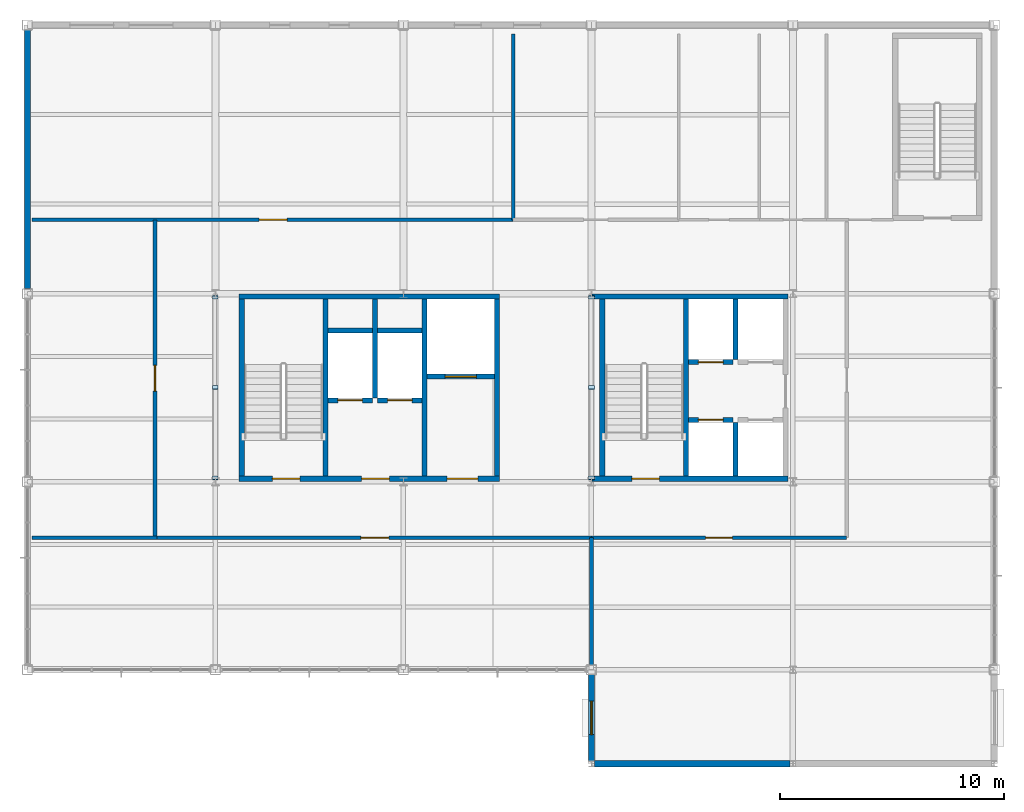
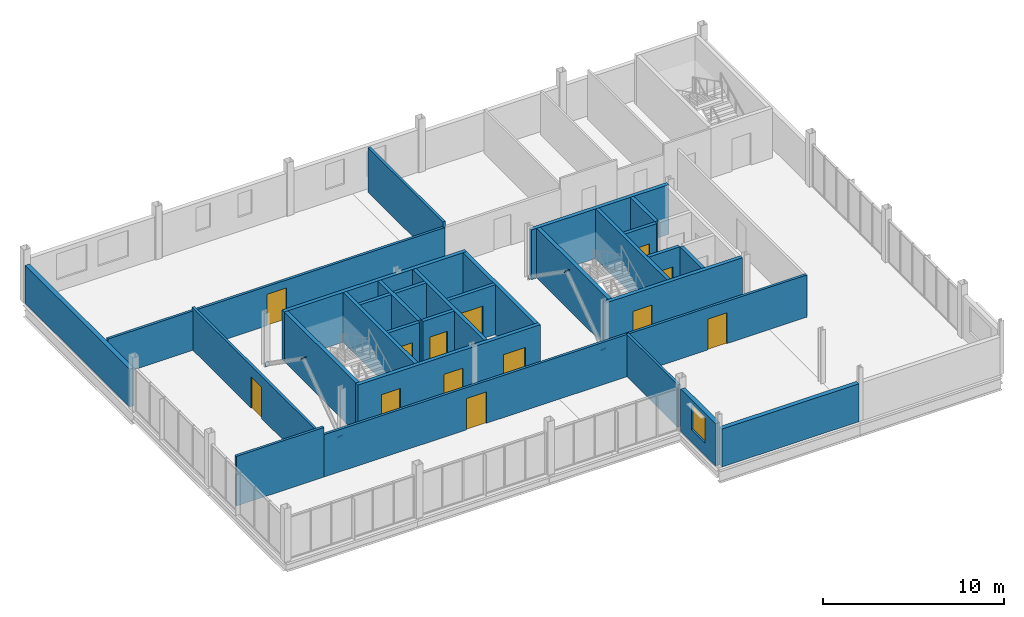
# One storey, part 12 of 16: 30 walls, 13 doors, 6 plates, 1 window, 14 openings.
"""IFC4 building model written with IfcOpenShell, lengths in metres."""

import ifcopenshell
import ifcopenshell.guid

model = None  # the IFC model being written
_history = None  # IfcOwnerHistory: only IFC2X3 demands one
_inside = {}  # id of a spatial element -> (the spatial element, [elements in it])
_under = {}  # id of a project, library or spatial element -> (it, [spatial elements below it])
_declared = {}  # id of a project -> (the project, [libraries it declares])
_typed = {}  # id of a type object -> (the type object, [elements of that type])
_made_of = {}  # id of a material, layer set ... -> (it, [elements and type objects made of it])


def new_model(schema):
    """Start an empty IFC model of exactly this schema.

    Asked for "IFC4X3", IfcOpenShell would pick the latest addendum, in which some entities
    have other attributes; the version numbers below select the first issue.
    IFC2X3 requires an IfcOwnerHistory on every rooted entity: one is made here for all.
    """
    global model, _history
    if schema == "IFC4X3":
        model = ifcopenshell.file(schema_version=(4, 3, 0, 0))
    else:
        model = ifcopenshell.file(schema=schema)
    _inside.clear()
    _under.clear()
    _declared.clear()
    _typed.clear()
    _made_of.clear()
    _history = None
    if model.schema == "IFC2X3":
        org = make("IfcOrganization", Name="unknown")
        user = make(
            "IfcPersonAndOrganization",
            ThePerson=make("IfcPerson", FamilyName="unknown"),
            TheOrganization=org,
        )
        app = make(
            "IfcApplication",
            ApplicationDeveloper=org,
            Version="unknown",
            ApplicationFullName="unknown",
            ApplicationIdentifier="unknown",
        )
        _history = make(
            "IfcOwnerHistory",
            OwningUser=user,
            OwningApplication=app,
            ChangeAction="ADDED",
            CreationDate=0,
        )
    return model


def make(cls, **values):
    """One entity of the class cls with the attributes given. An attribute that is None is left unset."""
    return model.create_entity(
        cls, **{name: value for name, value in values.items() if value is not None}
    )


def rooted(cls, **values):
    """An entity with a GlobalId (a new one), such as an element, a storey or a relation."""
    return make(cls, GlobalId=ifcopenshell.guid.new(), OwnerHistory=_history, **values)


def si_unit(unit_type, name, prefix=None):
    """IfcSIUnit, for example si_unit("LENGTHUNIT", "METRE", prefix="MILLI")."""
    return make("IfcSIUnit", UnitType=unit_type, Prefix=prefix, Name=name)


def assignment(units):
    """IfcUnitAssignment: the units of a project."""
    return None if units is None else make("IfcUnitAssignment", Units=units)


def point(xyz):
    """IfcCartesianPoint."""
    return None if xyz is None else make("IfcCartesianPoint", Coordinates=xyz)


def direction(xyz):
    """IfcDirection."""
    return None if xyz is None else make("IfcDirection", DirectionRatios=xyz)


def frame(location, z_axis=None, x_axis=None):
    """IfcAxis2Placement3D, a coordinate frame: its origin and axes. An axis left out is left unset."""
    return make(
        "IfcAxis2Placement3D",
        Location=point(location),
        Axis=direction(z_axis),
        RefDirection=direction(x_axis),
    )


def frame_2d(location, x_axis=None):
    """IfcAxis2Placement2D, a coordinate frame in the plane: its origin and x axis."""
    return make(
        "IfcAxis2Placement2D", Location=point(location), RefDirection=direction(x_axis)
    )


def origin():
    """The frame at (0, 0, 0) with its axes left unset."""
    return frame((0.0, 0.0, 0.0))


def origin_2d():
    """The frame at (0, 0) in the plane with its x axis left unset."""
    return frame_2d((0.0, 0.0))


def place(relative_to, where):
    """IfcLocalPlacement: puts the frame where relative to a parent placement (None: the world)."""
    return make(
        "IfcLocalPlacement", PlacementRelTo=relative_to, RelativePlacement=where
    )


def context(
    kind, dimensions, precision=None, world=None, true_north=None, identifier=None
):
    """IfcGeometricRepresentationContext, for example the 3D "Model" context."""
    return make(
        "IfcGeometricRepresentationContext",
        ContextIdentifier=identifier,
        ContextType=kind,
        CoordinateSpaceDimension=dimensions,
        Precision=precision,
        WorldCoordinateSystem=world,
        TrueNorth=true_north,
    )


def subcontext(parent, identifier, kind, view, scale=None):
    """IfcGeometricRepresentationSubContext, for example "Body" below "Model"."""
    return make(
        "IfcGeometricRepresentationSubContext",
        ContextIdentifier=identifier,
        ContextType=kind,
        ParentContext=parent,
        TargetScale=scale,
        TargetView=view,
    )


def project(units=None, contexts=None):
    """IfcProject with its units and contexts."""
    return rooted(
        "IfcProject",
        Name="project",
        RepresentationContexts=contexts,
        UnitsInContext=assignment(units),
    )


def spatial(cls, under=None, at=None, **own):
    """A site, building, storey or space (cls), placed at a placement, below another one or the project."""
    s = rooted(cls, ObjectPlacement=at, **own)
    if under is not None:
        _under.setdefault(under.id(), (under, []))[1].append(s)
    return s


def profile(cls, at=None, kind="AREA", **sizes):
    """A parametric profile (cls). Its sizes go by their IFC names, for example OverallWidth=200.0."""
    return make(cls, ProfileType=kind, Position=at, **sizes)


def rectangle(**sizes):
    """IfcRectangleProfileDef."""
    return profile("IfcRectangleProfileDef", **sizes)


def extrude(swept, where, along, depth):
    """IfcExtrudedAreaSolid: the profile swept, set in the frame where, extruded along a direction by depth."""
    return make(
        "IfcExtrudedAreaSolid",
        SweptArea=swept,
        Position=where,
        ExtrudedDirection=direction(along),
        Depth=depth,
    )


def shape(context_of_items, identifier, shape_type, items):
    """IfcShapeRepresentation: the items that make up one representation, for example the "Body"."""
    return make(
        "IfcShapeRepresentation",
        ContextOfItems=context_of_items,
        RepresentationIdentifier=identifier,
        RepresentationType=shape_type,
        Items=items,
    )


def material(Name=None, Category=None):
    """IfcMaterial."""
    return make("IfcMaterial", Name=Name, Category=Category)


def layer(
    of_material, thickness, ventilated=None, Name=None, Category=None, Priority=None
):
    """IfcMaterialLayer: one layer of a wall or slab, of a material (None: an air gap)."""
    return make(
        "IfcMaterialLayer",
        Material=of_material,
        LayerThickness=thickness,
        IsVentilated=ventilated,
        Name=Name,
        Category=Category,
        Priority=Priority,
    )


def layer_set(layers, Name=None):
    """IfcMaterialLayerSet."""
    return make("IfcMaterialLayerSet", MaterialLayers=layers, LayerSetName=Name)


def made_of(thing, what):
    """Note that an element or type object is made of a material, layer set ...; save() writes the relation."""
    if what is not None:
        _made_of.setdefault(what.id(), (what, []))[1].append(thing)
    return thing


def type_object(cls, material=None, **own):
    """A type object (cls), such as IfcWallType, which elements share."""
    return made_of(rooted(cls, **own), material)


def element(
    cls,
    number,
    at=None,
    inside=None,
    cuts=None,
    type_object=None,
    material=None,
    context=None,
    identifier="Body",
    shape_type=None,
    held_by="IfcProductDefinitionShape",
    body=None,
    shapes=None,
    **own,
):
    """One element of the class cls, such as IfcWall. Its Tag is "e" and its number.

    at: its placement. inside: the storey or other place that contains it. cuts: it is an
    opening in that element (IfcRelVoidsElement). A single representation is given by context,
    identifier, shape_type and body (its items); several are given by shapes. held_by: the class
    of the entity that holds the representations. save() writes the other relations.
    """
    e = rooted(cls, Tag="e%d" % number, ObjectPlacement=at, **own)
    if body is not None:
        shapes = [shape(context, identifier, shape_type, body)]
    if shapes is not None:
        e.Representation = make(held_by, Representations=shapes)
    if inside is not None:
        _inside.setdefault(inside.id(), (inside, []))[1].append(e)
    if cuts is not None:
        rooted(
            "IfcRelVoidsElement", RelatingBuildingElement=cuts, RelatedOpeningElement=e
        )
    if type_object is not None:
        _typed.setdefault(type_object.id(), (type_object, []))[1].append(e)
    return made_of(e, material)


def fill(opening, filler):
    """IfcRelFillsElement: the door or window that sits in an opening."""
    return rooted(
        "IfcRelFillsElement",
        RelatingOpeningElement=opening,
        RelatedBuildingElement=filler,
    )


def aggregate(whole, parts):
    """IfcRelAggregates: a whole, such as a stair, and the parts it consists of."""
    return rooted("IfcRelAggregates", RelatingObject=whole, RelatedObjects=parts)


def save(model, path):
    """Write the relations noted so far, then the file.

    IfcRelAggregates (storeys below a building ...), IfcRelContainedInSpatialStructure (elements
    in a storey), IfcRelDefinesByType, IfcRelAssociatesMaterial and IfcRelDeclares: one each for
    every whole, place, type object, material and project.
    """
    for whole, parts in _under.values():
        aggregate(whole, parts)
    for where, things in _inside.values():
        rooted(
            "IfcRelContainedInSpatialStructure",
            RelatedElements=things,
            RelatingStructure=where,
        )
    for kind, things in _typed.values():
        rooted("IfcRelDefinesByType", RelatedObjects=things, RelatingType=kind)
    for what, things in _made_of.values():
        rooted("IfcRelAssociatesMaterial", RelatedObjects=things, RelatingMaterial=what)
    for by, libraries in _declared.values():
        rooted("IfcRelDeclares", RelatingContext=by, RelatedDefinitions=libraries)
    model.write(path)


model = new_model("IFC4")

# Units and contexts
model_context = context("Model", 3, precision=1e-05, world=origin(), true_north=direction((0.0, 1.0)))
body_context = subcontext(model_context, "Body", "Model", "MODEL_VIEW")
ifc_project = project(units=[si_unit("LENGTHUNIT", "METRE"), si_unit("AREAUNIT", "SQUARE_METRE"), si_unit("VOLUMEUNIT", "CUBIC_METRE"), si_unit("PLANEANGLEUNIT", "RADIAN"), si_unit("MASSUNIT", "GRAM", prefix="KILO")], contexts=[model_context])

# Site, building, storey
site_placement = place(None, origin())
site = spatial("IfcSite", under=ifc_project, at=site_placement, CompositionType="ELEMENT")
building_placement = place(site_placement, origin())
building = spatial("IfcBuilding", under=site, at=building_placement, Name="Yukiwa Park Conservatory and Herbarium", CompositionType="ELEMENT")
storey_placement = place(building_placement, frame((0.0, 0.0, 43.199951171875)))
storey = spatial("IfcBuildingStorey", under=building, at=storey_placement, Name="L11", CompositionType="ELEMENT", Elevation=43.199951171875)

# Plates
ifc_material_1 = material(Name="Steel Q355D", Category="steel")
ifc_layer_1 = layer(ifc_material_1, 0.02392578125)
ifc_layer_set_1 = layer_set([ifc_layer_1], Name="Steel Q355D")
plate_type = type_object("IfcPlateType", Name="PL-CAP-24-INT", PredefinedType="USERDEFINED", material=ifc_layer_set_1)
for number, where, z_axis, x_axis, name in (
    (1, (133.199951171875, 94.97705078125, 0.17333984375), (0.0, -0.817806419301, -0.575493406175), (1.0, 0.0, 0.0), "Hollow section end cap plate CAP-BR-L11-057A"),
    (2, (133.199951171875, 98.993408203125, 2.974365234375), (0.0, 0.817806419301, 0.575493406175), (-1.0, 0.0, 0.0), "Hollow section end cap plate CAP-BR-L11-057B"),
    (3, (133.199951171875, 103.02294921875, 0.17333984375), (0.0, 0.817806419301, -0.575493406175), (-1.0, 0.0, 0.0), "Hollow section end cap plate CAP-BR-L11-058A"),
    (4, (150.0, 94.97705078125, 0.17333984375), (0.0, -0.817806419301, -0.575493406175), (1.0, 0.0, 0.0), "Hollow section end cap plate CAP-BR-L11-059A"),
    (5, (150.0, 98.993408203125, 2.974365234375), (0.0, 0.817806419301, 0.575493406175), (-1.0, 0.0, 0.0), "Hollow section end cap plate CAP-BR-L11-059B"),
    (6, (150.0, 103.02294921875, 0.17333984375), (0.0, 0.817806419301, -0.575493406175), (-1.0, 0.0, 0.0), "Hollow section end cap plate CAP-BR-L11-060A"),
):
    element("IfcPlate", number, at=place(storey_placement, frame(where, z_axis=z_axis, x_axis=x_axis)), inside=storey, type_object=plate_type, Name=name, ObjectType="END CAP PLATE", PredefinedType="USERDEFINED", context=body_context, shape_type="SweptSolid", body=[
        extrude(rectangle(XDim=0.25244140625, YDim=0.25244140625, at=origin_2d()), origin(), (0.0, 0.0, 1.0), 0.024169921875),
    ])

# Walls
ifc_material_2 = material(Name="Concrete C40", Category="concrete")
ifc_layer_2 = layer(ifc_material_2, 0.219970703125)
ifc_layer_set_2 = layer_set([ifc_layer_2], Name="Concrete C40")
wall_type_1 = type_object("IfcWallType", Name="WL-CORE-RC220", PredefinedType="SHEAR", material=ifc_layer_set_2)
wall_1_placement = place(storey_placement, frame((138.110107421875, 95.050048828125, 0.0), z_axis=(0.0, 0.0, 1.0), x_axis=(0.0, 1.0, 0.0)))
element("IfcWall", 7, at=wall_1_placement, inside=storey, type_object=wall_type_1, Name="L11 core shear wall 664", PredefinedType="SHEAR", context=body_context, shape_type="SweptSolid", body=[
    extrude(rectangle(XDim=7.89990234375, YDim=0.219970703125, at=frame_2d((3.949951171875, 0.0))), origin(), (0.0, 0.0, 1.0), 3.35400390625),
])
wall_2_placement = place(storey_placement, frame((140.330078125, 98.5400390625, 0.0), z_axis=(0.0, 0.0, 1.0), x_axis=(0.0, 1.0, 0.0)))
element("IfcWall", 8, at=wall_2_placement, inside=storey, type_object=wall_type_1, Name="L11 core shear wall 665", PredefinedType="SHEAR", context=body_context, shape_type="SweptSolid", body=[
    extrude(rectangle(XDim=4.409912109375, YDim=0.219970703125, at=frame_2d((2.205078125, 0.0))), origin(), (0.0, 0.0, 1.0), 3.35400390625),
])
wall_3_placement = place(storey_placement, frame((142.550048828125, 95.050048828125, 0.0), z_axis=(0.0, 0.0, 1.0), x_axis=(0.0, 1.0, 0.0)))
element("IfcWall", 9, at=wall_3_placement, inside=storey, type_object=wall_type_1, Name="L11 core shear wall 666", PredefinedType="SHEAR", context=body_context, shape_type="SweptSolid", body=[
    extrude(rectangle(XDim=7.89990234375, YDim=0.219970703125, at=frame_2d((3.949951171875, 0.0))), origin(), (0.0, 0.0, 1.0), 3.35400390625),
])

# Wall, opening, door
wall_4_placement = place(storey_placement, frame((138.219970703125, 98.429931640625, 0.0), z_axis=(0.0, 0.0, 1.0), x_axis=(1.0, 0.0, 0.0)))
wall_4 = element("IfcWall", 10, at=wall_4_placement, inside=storey, type_object=wall_type_1, Name="L11 core shear wall 668", PredefinedType="SHEAR", context=body_context, shape_type="SweptSolid", body=[
    extrude(rectangle(XDim=2.0, YDim=0.219970703125, at=frame_2d((1.0, 0.0))), origin(), (0.0, 0.0, 1.0), 3.35400390625),
])
opening_1_placement = place(wall_4_placement, frame((0.449951171875, 0.0, 0.0)))
opening_1 = element("IfcOpeningElement", 11, at=opening_1_placement, cuts=wall_4, Name="Opening LD-01", PredefinedType="OPENING", context=body_context, shape_type="SweptSolid", body=[
    extrude(rectangle(XDim=1.10009765625, YDim=2.14990234375, at=frame_2d((0.550048828125, 1.074951171875))), frame((0.0, 0.1201171875, 0.0), z_axis=(0.0, -1.0, 0.0), x_axis=(1.0, 0.0, 0.0)), (0.0, 0.0, 1.0), 0.239990234375),
])
ifc_material_3 = material(Name="Steel Q235B", Category="steel")
door_type_1 = type_object("IfcDoorType", Name="DR-LIFT-LD1100", OperationType="SLIDING_TO_LEFT", PredefinedType="DOOR", material=ifc_material_3)
door_1_placement = place(opening_1_placement, origin())
door_1 = element("IfcDoor", 12, at=door_1_placement, inside=storey, type_object=door_type_1, Name="L11 Firefighting Lift FL1 sliding landing door", OperationType="SLIDING_TO_LEFT", OverallHeight=2.14990234375, OverallWidth=1.10009765625, PredefinedType="DOOR", context=body_context, shape_type="SweptSolid", body=[
    extrude(rectangle(XDim=1.10009765625, YDim=2.14990234375, at=frame_2d((0.550048828125, 1.074951171875))), frame((0.0, 0.02490234375, 0.0), z_axis=(0.0, -1.0, 0.0), x_axis=(1.0, 0.0, 0.0)), (0.0, 0.0, 1.0), 0.050048828125),
])
fill(opening_1, door_1)

wall_5_placement = place(storey_placement, frame((140.43994140625, 98.429931640625, 0.0), z_axis=(0.0, 0.0, 1.0), x_axis=(1.0, 0.0, 0.0)))
wall_5 = element("IfcWall", 13, at=wall_5_placement, inside=storey, type_object=wall_type_1, Name="L11 core shear wall 669", PredefinedType="SHEAR", context=body_context, shape_type="SweptSolid", body=[
    extrude(rectangle(XDim=2.0, YDim=0.219970703125, at=frame_2d((1.0, 0.0))), origin(), (0.0, 0.0, 1.0), 3.35400390625),
])
opening_2_placement = place(wall_5_placement, frame((0.449951171875, 0.0, 0.0)))
opening_2 = element("IfcOpeningElement", 14, at=opening_2_placement, cuts=wall_5, Name="Opening LD-01", PredefinedType="OPENING", context=body_context, shape_type="SweptSolid", body=[
    extrude(rectangle(XDim=1.10009765625, YDim=2.14990234375, at=frame_2d((0.550048828125, 1.074951171875))), frame((0.0, 0.1201171875, 0.0), z_axis=(0.0, -1.0, 0.0), x_axis=(1.0, 0.0, 0.0)), (0.0, 0.0, 1.0), 0.239990234375),
])
door_2_placement = place(opening_2_placement, origin())
door_2 = element("IfcDoor", 15, at=door_2_placement, inside=storey, type_object=door_type_1, Name="L11 Firefighting Lift FL2 sliding landing door", OperationType="SLIDING_TO_LEFT", OverallHeight=2.14990234375, OverallWidth=1.10009765625, PredefinedType="DOOR", context=body_context, shape_type="SweptSolid", body=[
    extrude(rectangle(XDim=1.10009765625, YDim=2.14990234375, at=frame_2d((0.550048828125, 1.074951171875))), frame((0.0, 0.02490234375, 0.0), z_axis=(0.0, -1.0, 0.0), x_axis=(1.0, 0.0, 0.0)), (0.0, 0.0, 1.0), 0.050048828125),
])
fill(opening_2, door_2)

# Walls
for number, where, z_axis, x_axis, name in (
    (16, (138.219970703125, 101.550048828125, 0.0), (0.0, 0.0, 1.0), (1.0, 0.0, 0.0), "L11 core shear wall 670"),
    (17, (140.43994140625, 101.550048828125, 0.0), (0.0, 0.0, 1.0), (1.0, 0.0, 0.0), "L11 core shear wall 671"),
):
    element("IfcWall", number, at=place(storey_placement, frame(where, z_axis=z_axis, x_axis=x_axis)), inside=storey, type_object=wall_type_1, Name=name, PredefinedType="SHEAR", context=body_context, shape_type="SweptSolid", body=[
        extrude(rectangle(XDim=2.0, YDim=0.219970703125, at=frame_2d((1.0, 0.0))), origin(), (0.0, 0.0, 1.0), 3.35400390625),
    ])

# Wall, opening, door
wall_6_placement = place(storey_placement, frame((142.659912109375, 99.489990234375, 0.0), z_axis=(0.0, 0.0, 1.0), x_axis=(1.0, 0.0, 0.0)))
wall_6 = element("IfcWall", 18, at=wall_6_placement, inside=storey, type_object=wall_type_1, Name="L11 core shear wall 672", PredefinedType="SHEAR", context=body_context, shape_type="SweptSolid", body=[
    extrude(rectangle(XDim=3.0, YDim=0.219970703125, at=frame_2d((1.5, 0.0))), origin(), (0.0, 0.0, 1.0), 3.35400390625),
])
opening_3_placement = place(wall_6_placement, frame((0.800048828125, 0.0, 0.0)))
opening_3 = element("IfcOpeningElement", 19, at=opening_3_placement, cuts=wall_6, Name="Opening LD-02", PredefinedType="OPENING", context=body_context, shape_type="SweptSolid", body=[
    extrude(rectangle(XDim=1.39990234375, YDim=2.199951171875, at=frame_2d((0.699951171875, 1.10009765625))), frame((0.0, 0.1201171875, 0.0), z_axis=(0.0, -1.0, 0.0), x_axis=(1.0, 0.0, 0.0)), (0.0, 0.0, 1.0), 0.239990234375),
])
ifc_material_4 = material(Name="Steel Q235B", Category="steel")
door_type_2 = type_object("IfcDoorType", Name="DR-LIFT-LD1400", OperationType="SLIDING_TO_LEFT", PredefinedType="DOOR", material=ifc_material_4)
door_3_placement = place(opening_3_placement, origin())
door_3 = element("IfcDoor", 20, at=door_3_placement, inside=storey, type_object=door_type_2, Name="L11 Goods Lift GL1 sliding landing door", OperationType="SLIDING_TO_LEFT", OverallHeight=2.199951171875, OverallWidth=1.39990234375, PredefinedType="DOOR", context=body_context, shape_type="SweptSolid", body=[
    extrude(rectangle(XDim=1.39990234375, YDim=2.199951171875, at=frame_2d((0.699951171875, 1.10009765625))), frame((0.0, 0.02490234375, 0.0), z_axis=(0.0, -1.0, 0.0), x_axis=(1.0, 0.0, 0.0)), (0.0, 0.0, 1.0), 0.050048828125),
])
fill(opening_3, door_3)

# Walls
wall_7_placement = place(storey_placement, frame((154.219970703125, 95.050048828125, 0.0), z_axis=(0.0, 0.0, 1.0), x_axis=(0.0, 1.0, 0.0)))
element("IfcWall", 21, at=wall_7_placement, inside=storey, type_object=wall_type_1, Name="L11 core shear wall 676", PredefinedType="SHEAR", context=body_context, shape_type="SweptSolid", body=[
    extrude(rectangle(XDim=7.89990234375, YDim=0.219970703125, at=frame_2d((3.949951171875, 0.0))), origin(), (0.0, 0.0, 1.0), 3.35400390625),
])
wall_8_placement = place(storey_placement, frame((156.43994140625, 100.25, 0.0), z_axis=(0.0, 0.0, 1.0), x_axis=(0.0, 1.0, 0.0)))
element("IfcWall", 22, at=wall_8_placement, inside=storey, type_object=wall_type_1, Name="L11 core shear wall 678", PredefinedType="SHEAR", context=body_context, shape_type="SweptSolid", body=[
    extrude(rectangle(XDim=2.699951171875, YDim=0.219970703125, at=frame_2d((1.35009765625, 0.0))), origin(), (0.0, 0.0, 1.0), 3.35400390625),
])

# Wall, opening, door
wall_9_placement = place(storey_placement, frame((154.330078125, 100.139892578125, 0.0), z_axis=(0.0, 0.0, 1.0), x_axis=(1.0, 0.0, 0.0)))
wall_9 = element("IfcWall", 23, at=wall_9_placement, inside=storey, type_object=wall_type_1, Name="L11 core shear wall 679", PredefinedType="SHEAR", context=body_context, shape_type="SweptSolid", body=[
    extrude(rectangle(XDim=2.0, YDim=0.219970703125, at=frame_2d((1.0, 0.0))), origin(), (0.0, 0.0, 1.0), 3.35400390625),
])
opening_4_placement = place(wall_9_placement, frame((0.449951171875, 0.0, 0.0)))
opening_4 = element("IfcOpeningElement", 24, at=opening_4_placement, cuts=wall_9, Name="Opening LD-01", PredefinedType="OPENING", context=body_context, shape_type="SweptSolid", body=[
    extrude(rectangle(XDim=1.10009765625, YDim=2.14990234375, at=frame_2d((0.550048828125, 1.074951171875))), frame((0.0, 0.1201171875, 0.0), z_axis=(0.0, -1.0, 0.0), x_axis=(1.0, 0.0, 0.0)), (0.0, 0.0, 1.0), 0.239990234375),
])
door_4_placement = place(opening_4_placement, origin())
door_4 = element("IfcDoor", 25, at=door_4_placement, inside=storey, type_object=door_type_1, Name="L11 Passenger Lift LP1 sliding landing door", OperationType="SLIDING_TO_LEFT", OverallHeight=2.14990234375, OverallWidth=1.10009765625, PredefinedType="DOOR", context=body_context, shape_type="SweptSolid", body=[
    extrude(rectangle(XDim=1.10009765625, YDim=2.14990234375, at=frame_2d((0.550048828125, 1.074951171875))), frame((0.0, 0.02490234375, 0.0), z_axis=(0.0, -1.0, 0.0), x_axis=(1.0, 0.0, 0.0)), (0.0, 0.0, 1.0), 0.050048828125),
])
fill(opening_4, door_4)

# Wall
wall_10_placement = place(storey_placement, frame((156.43994140625, 95.050048828125, 0.0), z_axis=(0.0, 0.0, 1.0), x_axis=(0.0, 1.0, 0.0)))
element("IfcWall", 26, at=wall_10_placement, inside=storey, type_object=wall_type_1, Name="L11 core shear wall 681", PredefinedType="SHEAR", context=body_context, shape_type="SweptSolid", body=[
    extrude(rectangle(XDim=2.39990234375, YDim=0.219970703125, at=frame_2d((1.199951171875, 0.0))), origin(), (0.0, 0.0, 1.0), 3.35400390625),
])

# Wall, opening, door
wall_11_placement = place(storey_placement, frame((154.330078125, 97.56005859375, 0.0), z_axis=(0.0, 0.0, 1.0), x_axis=(1.0, 0.0, 0.0)))
wall_11 = element("IfcWall", 27, at=wall_11_placement, inside=storey, type_object=wall_type_1, Name="L11 core shear wall 682", PredefinedType="SHEAR", context=body_context, shape_type="SweptSolid", body=[
    extrude(rectangle(XDim=2.0, YDim=0.219970703125, at=frame_2d((1.0, 0.0))), origin(), (0.0, 0.0, 1.0), 3.35400390625),
])
opening_5_placement = place(wall_11_placement, frame((0.449951171875, 0.0, 0.0)))
opening_5 = element("IfcOpeningElement", 28, at=opening_5_placement, cuts=wall_11, Name="Opening LD-01", PredefinedType="OPENING", context=body_context, shape_type="SweptSolid", body=[
    extrude(rectangle(XDim=1.10009765625, YDim=2.14990234375, at=frame_2d((0.550048828125, 1.074951171875))), frame((0.0, 0.1201171875, 0.0), z_axis=(0.0, -1.0, 0.0), x_axis=(1.0, 0.0, 0.0)), (0.0, 0.0, 1.0), 0.239990234375),
])
door_5_placement = place(opening_5_placement, origin())
door_5 = element("IfcDoor", 29, at=door_5_placement, inside=storey, type_object=door_type_1, Name="L11 Passenger Lift LP3 sliding landing door", OperationType="SLIDING_TO_LEFT", OverallHeight=2.14990234375, OverallWidth=1.10009765625, PredefinedType="DOOR", context=body_context, shape_type="SweptSolid", body=[
    extrude(rectangle(XDim=1.10009765625, YDim=2.14990234375, at=frame_2d((0.550048828125, 1.074951171875))), frame((0.0, 0.02490234375, 0.0), z_axis=(0.0, -1.0, 0.0), x_axis=(1.0, 0.0, 0.0)), (0.0, 0.0, 1.0), 0.050048828125),
])
fill(opening_5, door_5)

# Wall, openings, doors
ifc_material_5 = material(Name="Concrete C50", Category="concrete")
ifc_layer_3 = layer(ifc_material_5, 0.239990234375)
ifc_layer_set_3 = layer_set([ifc_layer_3], Name="Concrete C50")
wall_type_2 = type_object("IfcWallType", Name="WL-CORE-RC240", PredefinedType="SHEAR", material=ifc_layer_set_3)
wall_12_placement = place(storey_placement, frame((134.25, 94.929931640625, 0.0), z_axis=(0.0, 0.0, 1.0), x_axis=(1.0, 0.0, 0.0)))
wall_12 = element("IfcWall", 30, at=wall_12_placement, inside=storey, type_object=wall_type_2, Name="L11 core shear wall 661", PredefinedType="SHEAR", context=body_context, shape_type="SweptSolid", body=[
    extrude(rectangle(XDim=11.64990234375, YDim=0.239990234375, at=frame_2d((5.824951171875, 0.0))), origin(), (0.0, 0.0, 1.0), 3.35400390625),
])
opening_6_placement = place(wall_12_placement, frame((1.5, 0.0, 0.0)))
opening_6 = element("IfcOpeningElement", 31, at=opening_6_placement, cuts=wall_12, Name="Opening SD-01", PredefinedType="OPENING", context=body_context, shape_type="SweptSolid", body=[
    extrude(rectangle(XDim=1.219970703125, YDim=2.179931640625, at=frame_2d((0.60986328125, 1.08984375))), frame((0.0, 0.1298828125, 0.0), z_axis=(0.0, -1.0, 0.0), x_axis=(1.0, 0.0, 0.0)), (0.0, 0.0, 1.0), 0.260009765625),
])
opening_7_placement = place(wall_12_placement, frame((5.47998046875, 0.0, 0.0)))
opening_7 = element("IfcOpeningElement", 32, at=opening_7_placement, cuts=wall_12, Name="Opening FD-02", PredefinedType="OPENING", context=body_context, shape_type="SweptSolid", body=[
    extrude(rectangle(XDim=1.239990234375, YDim=2.14990234375, at=frame_2d((0.6201171875, 1.074951171875))), frame((0.0, 0.1298828125, 0.0), z_axis=(0.0, -1.0, 0.0), x_axis=(1.0, 0.0, 0.0)), (0.0, 0.0, 1.0), 0.260009765625),
])
opening_8_placement = place(wall_12_placement, frame((9.300048828125, 0.0, 0.0)))
opening_8 = element("IfcOpeningElement", 33, at=opening_8_placement, cuts=wall_12, Name="Opening FD-06", PredefinedType="OPENING", context=body_context, shape_type="SweptSolid", body=[
    extrude(rectangle(XDim=1.3798828125, YDim=2.14990234375, at=frame_2d((0.68994140625, 1.074951171875))), frame((0.0, 0.1298828125, 0.0), z_axis=(0.0, -1.0, 0.0), x_axis=(1.0, 0.0, 0.0)), (0.0, 0.0, 1.0), 0.260009765625),
])
ifc_material_6 = material(Name="Steel Q235B", Category="steel")
door_type_3 = type_object("IfcDoorType", Name="DR-FIRE-FD60-1400", OperationType="DOUBLE_DOOR_SINGLE_SWING", PredefinedType="DOOR", material=ifc_material_6)
door_6_placement = place(opening_8_placement, frame((1.3798828125, 0.0, 0.0), z_axis=(0.0, 0.0, 1.0), x_axis=(-1.0, 0.0, 0.0)))
door_6 = element("IfcDoor", 34, at=door_6_placement, inside=storey, type_object=door_type_3, Name="L11 Goods Lift Lobby double fire door", OperationType="DOUBLE_DOOR_SINGLE_SWING", OverallHeight=2.14990234375, OverallWidth=1.3798828125, PredefinedType="DOOR", context=body_context, shape_type="SweptSolid", body=[
    extrude(rectangle(XDim=1.3798828125, YDim=2.14990234375, at=frame_2d((0.68994140625, 1.074951171875))), frame((0.0, 0.02490234375, 0.0), z_axis=(0.0, -1.0, 0.0), x_axis=(1.0, 0.0, 0.0)), (0.0, 0.0, 1.0), 0.050048828125),
])
fill(opening_8, door_6)
ifc_material_7 = material(Name="Steel Q235B", Category="steel")
door_type_4 = type_object("IfcDoorType", Name="DR-FIRE-FD90-1200", OperationType="SINGLE_SWING_RIGHT", PredefinedType="DOOR", material=ifc_material_7)
door_7_placement = place(opening_7_placement, frame((1.239990234375, 0.0, 0.0), z_axis=(0.0, 0.0, 1.0), x_axis=(-1.0, 0.0, 0.0)))
door_7 = element("IfcDoor", 35, at=door_7_placement, inside=storey, type_object=door_type_4, Name="L11 Firefighting Lift Lobby fire door", OperationType="SINGLE_SWING_RIGHT", OverallHeight=2.14990234375, OverallWidth=1.239990234375, PredefinedType="DOOR", context=body_context, shape_type="SweptSolid", body=[
    extrude(rectangle(XDim=1.239990234375, YDim=2.14990234375, at=frame_2d((0.6201171875, 1.074951171875))), frame((0.0, 0.02490234375, 0.0), z_axis=(0.0, -1.0, 0.0), x_axis=(1.0, 0.0, 0.0)), (0.0, 0.0, 1.0), 0.050048828125),
])
fill(opening_7, door_7)
ifc_material_8 = material(Name="Steel Q235B", Category="steel")
door_type_5 = type_object("IfcDoorType", Name="DR-STAIR-FD90-1200", OperationType="SINGLE_SWING_LEFT", PredefinedType="DOOR", material=ifc_material_8)
door_8_placement = place(opening_6_placement, origin())
door_8 = element("IfcDoor", 36, at=door_8_placement, inside=storey, type_object=door_type_5, Name="L11 Stairwell ST-T1 fire door", OperationType="SINGLE_SWING_LEFT", OverallHeight=2.179931640625, OverallWidth=1.219970703125, PredefinedType="DOOR", context=body_context, shape_type="SweptSolid", body=[
    extrude(rectangle(XDim=1.219970703125, YDim=2.179931640625, at=frame_2d((0.60986328125, 1.08984375))), frame((0.0, 0.02490234375, 0.0), z_axis=(0.0, -1.0, 0.0), x_axis=(1.0, 0.0, 0.0)), (0.0, 0.0, 1.0), 0.050048828125),
])
fill(opening_6, door_8)

# Walls
wall_13_placement = place(storey_placement, frame((134.25, 103.070068359375, 0.0), z_axis=(0.0, 0.0, 1.0), x_axis=(1.0, 0.0, 0.0)))
element("IfcWall", 37, at=wall_13_placement, inside=storey, type_object=wall_type_2, Name="L11 core shear wall 662", PredefinedType="SHEAR", context=body_context, shape_type="SweptSolid", body=[
    extrude(rectangle(XDim=11.64990234375, YDim=0.239990234375, at=frame_2d((5.824951171875, 0.0))), origin(), (0.0, 0.0, 1.0), 3.35400390625),
])
for number, where, z_axis, x_axis, name in (
    (38, (134.3701171875, 95.050048828125, 0.0), (0.0, 0.0, 1.0), (0.0, 1.0, 0.0), "L11 core shear wall 663"),
    (39, (145.780029296875, 95.050048828125, 0.0), (0.0, 0.0, 1.0), (0.0, 1.0, 0.0), "L11 core shear wall 667"),
):
    element("IfcWall", number, at=place(storey_placement, frame(where, z_axis=z_axis, x_axis=x_axis)), inside=storey, type_object=wall_type_2, Name=name, PredefinedType="SHEAR", context=body_context, shape_type="SweptSolid", body=[
        extrude(rectangle(XDim=7.89990234375, YDim=0.239990234375, at=frame_2d((3.949951171875, 0.0))), origin(), (0.0, 0.0, 1.0), 3.35400390625),
    ])

# Wall, opening, door
wall_14_placement = place(storey_placement, frame((150.02001953125, 94.929931640625, 0.0), z_axis=(0.0, 0.0, 1.0), x_axis=(1.0, 0.0, 0.0)))
wall_14 = element("IfcWall", 40, at=wall_14_placement, inside=storey, type_object=wall_type_2, Name="L11 core shear wall 673", PredefinedType="SHEAR", context=body_context, shape_type="SweptSolid", body=[
    extrude(rectangle(XDim=8.77001953125, YDim=0.239990234375, at=frame_2d((4.385009765625, 0.0))), origin(), (0.0, 0.0, 1.0), 3.35400390625),
])
opening_9_placement = place(wall_14_placement, frame((1.7900390625, 0.0, 0.0)))
opening_9 = element("IfcOpeningElement", 41, at=opening_9_placement, cuts=wall_14, Name="Opening SD-01", PredefinedType="OPENING", context=body_context, shape_type="SweptSolid", body=[
    extrude(rectangle(XDim=1.219970703125, YDim=2.179931640625, at=frame_2d((0.60986328125, 1.08984375))), frame((0.0, 0.1298828125, 0.0), z_axis=(0.0, -1.0, 0.0), x_axis=(1.0, 0.0, 0.0)), (0.0, 0.0, 1.0), 0.260009765625),
])
door_9_placement = place(opening_9_placement, origin())
door_9 = element("IfcDoor", 42, at=door_9_placement, inside=storey, type_object=door_type_5, Name="L11 Stairwell ST-T2 fire door", OperationType="SINGLE_SWING_LEFT", OverallHeight=2.179931640625, OverallWidth=1.219970703125, PredefinedType="DOOR", context=body_context, shape_type="SweptSolid", body=[
    extrude(rectangle(XDim=1.219970703125, YDim=2.179931640625, at=frame_2d((0.60986328125, 1.08984375))), frame((0.0, 0.02490234375, 0.0), z_axis=(0.0, -1.0, 0.0), x_axis=(1.0, 0.0, 0.0)), (0.0, 0.0, 1.0), 0.050048828125),
])
fill(opening_9, door_9)

# Walls
wall_15_placement = place(storey_placement, frame((150.02001953125, 103.070068359375, 0.0), z_axis=(0.0, 0.0, 1.0), x_axis=(1.0, 0.0, 0.0)))
element("IfcWall", 43, at=wall_15_placement, inside=storey, type_object=wall_type_2, Name="L11 core shear wall 674", PredefinedType="SHEAR", context=body_context, shape_type="SweptSolid", body=[
    extrude(rectangle(XDim=8.77001953125, YDim=0.239990234375, at=frame_2d((4.385009765625, 0.0))), origin(), (0.0, 0.0, 1.0), 3.35400390625),
])
wall_16_placement = place(storey_placement, frame((150.47998046875, 95.050048828125, 0.0), z_axis=(0.0, 0.0, 1.0), x_axis=(0.0, 1.0, 0.0)))
element("IfcWall", 44, at=wall_16_placement, inside=storey, type_object=wall_type_2, Name="L11 core shear wall 675", PredefinedType="SHEAR", context=body_context, shape_type="SweptSolid", body=[
    extrude(rectangle(XDim=7.89990234375, YDim=0.239990234375, at=frame_2d((3.949951171875, 0.0))), origin(), (0.0, 0.0, 1.0), 3.35400390625),
])
ifc_material_9 = material(Name="Pale Granite Cladding", Category="masonry")
ifc_layer_4 = layer(ifc_material_9, 0.280029296875)
ifc_layer_set_4 = layer_set([ifc_layer_4], Name="Pale Granite Cladding")
wall_type_3 = type_object("IfcWallType", Name="WL-EXT-GRAN-280", PredefinedType="SOLIDWALL", material=ifc_layer_set_4)
wall_17_placement = place(storey_placement, frame((124.800048828125, 114.97509765625, 0.0), z_axis=(0.0, 0.0, 1.0), x_axis=(0.0, -1.0, 0.0)))
element("IfcWall", 45, at=wall_17_placement, inside=storey, type_object=wall_type_3, Name="L11 exterior envelope wall 366", PredefinedType="SOLIDWALL", context=body_context, shape_type="SweptSolid", body=[
    extrude(rectangle(XDim=11.550048828125, YDim=0.280029296875, at=frame_2d((5.77490234375, 0.0))), origin(), (0.0, 0.0, 1.0), 2.56201171875),
])

# Wall, opening, window
wall_18_placement = place(storey_placement, frame((150.0, 86.175048828125, 0.0), z_axis=(0.0, 0.0, 1.0), x_axis=(0.0, -1.0, 0.0)))
wall_18 = element("IfcWall", 46, at=wall_18_placement, inside=storey, type_object=wall_type_3, Name="L11 exterior envelope wall 367", PredefinedType="SOLIDWALL", context=body_context, shape_type="SweptSolid", body=[
    extrude(rectangle(XDim=3.85009765625, YDim=0.280029296875, at=frame_2d((1.925048828125, 0.0))), origin(), (0.0, 0.0, 1.0), 2.860107421875),
])
opening_10_placement = place(wall_18_placement, frame((1.175048828125, 0.0, 0.85009765625)))
opening_10 = element("IfcOpeningElement", 47, at=opening_10_placement, cuts=wall_18, Name="Opening W-05", PredefinedType="OPENING", context=body_context, shape_type="SweptSolid", body=[
    extrude(rectangle(XDim=1.5, YDim=1.7099609375, at=frame_2d((0.75, 0.85498046875))), frame((0.0, 0.14990234375, 0.0), z_axis=(0.0, -1.0, 0.0), x_axis=(1.0, 0.0, 0.0)), (0.0, 0.0, 1.0), 0.300048828125),
])
ifc_material_10 = material(Name="Triple Low-E Insulated Glass", Category="glass")
window_type = type_object("IfcWindowType", Name="WN-TW-1500X2100", PartitioningType="SINGLE_PANEL", PredefinedType="WINDOW", material=ifc_material_10)
window_placement = place(opening_10_placement, origin())
window = element("IfcWindow", 48, at=window_placement, inside=storey, type_object=window_type, Name="L11 deep-reveal triple-glazed window 282", OverallHeight=1.7099609375, OverallWidth=1.5, PartitioningType="SINGLE_PANEL", PredefinedType="WINDOW", context=body_context, shape_type="SweptSolid", body=[
    extrude(rectangle(XDim=1.5, YDim=1.7099609375, at=frame_2d((0.75, 0.85498046875))), frame((0.0, 0.030029296875, 0.0), z_axis=(0.0, -1.0, 0.0), x_axis=(1.0, 0.0, 0.0)), (0.0, 0.0, 1.0), 0.06005859375),
])
fill(opening_10, window)

# Wall
wall_19_placement = place(storey_placement, frame((150.125, 82.199951171875, 0.0), z_axis=(0.0, 0.0, 1.0), x_axis=(1.0, 0.0, 0.0)))
element("IfcWall", 49, at=wall_19_placement, inside=storey, type_object=wall_type_3, Name="L11 exterior envelope wall 368", PredefinedType="SOLIDWALL", context=body_context, shape_type="SweptSolid", body=[
    extrude(rectangle(XDim=8.75, YDim=0.280029296875, at=frame_2d((4.375, 0.0))), origin(), (0.0, 0.0, 1.0), 2.56201171875),
])

# Wall, opening, door
ifc_material_11 = material(Name="Gypsum Board Partition", Category="gypsum")
ifc_layer_5 = layer(ifc_material_11, 0.159912109375)
ifc_layer_set_5 = layer_set([ifc_layer_5], Name="Gypsum Board Partition")
wall_type_4 = type_object("IfcWallType", Name="WL-PART-GYP-160", PredefinedType="PARTITIONING", material=ifc_layer_set_5)
wall_20_placement = place(storey_placement, frame((130.60009765625, 92.300048828125, 0.0), z_axis=(0.0, 0.0, 1.0), x_axis=(1.0, 0.0, 0.0)))
wall_20 = element("IfcWall", 50, at=wall_20_placement, inside=storey, type_object=wall_type_4, Name="L11 interior partition wall 695", PredefinedType="PARTITIONING", context=body_context, shape_type="SweptSolid", body=[
    extrude(rectangle(XDim=19.39990234375, YDim=0.159912109375, at=frame_2d((9.699951171875, 0.0))), origin(), (0.0, 0.0, 1.0), 2.85400390625),
])
opening_11_placement = place(wall_20_placement, frame((9.10009765625, 0.0, 0.0)))
opening_11 = element("IfcOpeningElement", 51, at=opening_11_placement, cuts=wall_20, Name="Opening LD-12", PredefinedType="OPENING", context=body_context, shape_type="SweptSolid", body=[
    extrude(rectangle(XDim=1.25, YDim=2.1201171875, at=frame_2d((0.625, 1.06005859375))), frame((0.0, 0.08984375, 0.0), z_axis=(0.0, -1.0, 0.0), x_axis=(1.0, 0.0, 0.0)), (0.0, 0.0, 1.0), 0.179931640625),
])
ifc_material_12 = material(Name="Steel Q235B", Category="steel")
door_type_6 = type_object("IfcDoorType", Name="DR-LAB-1200", OperationType="SINGLE_SWING_LEFT", PredefinedType="DOOR", material=ifc_material_12)
door_10_placement = place(opening_11_placement, origin())
door_10 = element("IfcDoor", 52, at=door_10_placement, inside=storey, type_object=door_type_6, Name="L11 Tissue Culture Lab door", OperationType="SINGLE_SWING_LEFT", OverallHeight=2.1201171875, OverallWidth=1.25, PredefinedType="DOOR", context=body_context, shape_type="SweptSolid", body=[
    extrude(rectangle(XDim=1.25, YDim=2.1201171875, at=frame_2d((0.625, 1.06005859375))), frame((0.0, 0.02490234375, 0.0), z_axis=(0.0, -1.0, 0.0), x_axis=(1.0, 0.0, 0.0)), (0.0, 0.0, 1.0), 0.050048828125),
])
fill(opening_11, door_10)

wall_21_placement = place(storey_placement, frame((150.0, 92.300048828125, 0.0), z_axis=(0.0, 0.0, 1.0), x_axis=(1.0, 0.0, 0.0)))
wall_21 = element("IfcWall", 53, at=wall_21_placement, inside=storey, type_object=wall_type_4, Name="L11 interior partition wall 696", PredefinedType="PARTITIONING", context=body_context, shape_type="SweptSolid", body=[
    extrude(rectangle(XDim=11.39990234375, YDim=0.159912109375, at=frame_2d((5.699951171875, 0.0))), origin(), (0.0, 0.0, 1.0), 2.85400390625),
])
opening_12_placement = place(wall_21_placement, frame((5.10009765625, 0.0, 0.0)))
opening_12 = element("IfcOpeningElement", 54, at=opening_12_placement, cuts=wall_21, Name="Opening ID-12", PredefinedType="OPENING", context=body_context, shape_type="SweptSolid", body=[
    extrude(rectangle(XDim=1.199951171875, YDim=2.080078125, at=frame_2d((0.60009765625, 1.0400390625))), frame((0.0, 0.08984375, 0.0), z_axis=(0.0, -1.0, 0.0), x_axis=(1.0, 0.0, 0.0)), (0.0, 0.0, 1.0), 0.179931640625),
])
ifc_material_13 = material(Name="Charred Larch Cladding", Category="wood")
door_type_7 = type_object("IfcDoorType", Name="DR-INT-1200", OperationType="SINGLE_SWING_LEFT", PredefinedType="DOOR", material=ifc_material_13)
door_11_placement = place(opening_12_placement, origin())
door_11 = element("IfcDoor", 55, at=door_11_placement, inside=storey, type_object=door_type_7, Name="L11 Colloquium Room door", OperationType="SINGLE_SWING_LEFT", OverallHeight=2.080078125, OverallWidth=1.199951171875, PredefinedType="DOOR", context=body_context, shape_type="SweptSolid", body=[
    extrude(rectangle(XDim=1.199951171875, YDim=2.080078125, at=frame_2d((0.60009765625, 1.0400390625))), frame((0.0, 0.02490234375, 0.0), z_axis=(0.0, -1.0, 0.0), x_axis=(1.0, 0.0, 0.0)), (0.0, 0.0, 1.0), 0.050048828125),
])
fill(opening_12, door_11)

# Walls
wall_22_placement = place(storey_placement, frame((125.0, 92.300048828125, 0.0), z_axis=(0.0, 0.0, 1.0), x_axis=(1.0, 0.0, 0.0)))
element("IfcWall", 56, at=wall_22_placement, inside=storey, type_object=wall_type_4, Name="L11 interior partition wall 697", PredefinedType="PARTITIONING", context=body_context, shape_type="SweptSolid", body=[
    extrude(rectangle(XDim=5.60009765625, YDim=0.159912109375, at=frame_2d((2.800048828125, 0.0))), origin(), (0.0, 0.0, 1.0), 3.35400390625),
])
wall_23_placement = place(storey_placement, frame((150.0, 86.60009765625, 0.0), z_axis=(0.0, 0.0, 1.0), x_axis=(0.0, 1.0, 0.0)))
element("IfcWall", 57, at=wall_23_placement, inside=storey, type_object=wall_type_4, Name="L11 interior partition wall 698", PredefinedType="PARTITIONING", context=body_context, shape_type="SweptSolid", body=[
    extrude(rectangle(XDim=5.699951171875, YDim=0.159912109375, at=frame_2d((2.85009765625, 0.0))), origin(), (0.0, 0.0, 1.0), 2.85400390625),
])

# Wall, opening, door
wall_24_placement = place(storey_placement, frame((130.5, 92.300048828125, 0.0), z_axis=(0.0, 0.0, 1.0), x_axis=(0.0, 1.0, 0.0)))
wall_24 = element("IfcWall", 58, at=wall_24_placement, inside=storey, type_object=wall_type_4, Name="L11 interior partition wall 699", PredefinedType="PARTITIONING", context=body_context, shape_type="SweptSolid", body=[
    extrude(rectangle(XDim=14.199951171875, YDim=0.159912109375, at=frame_2d((7.10009765625, 0.0))), origin(), (0.0, 0.0, 1.0), 2.858154296875),
])
opening_13_placement = place(wall_24_placement, frame((6.550048828125, 0.0, 0.0)))
opening_13 = element("IfcOpeningElement", 59, at=opening_13_placement, cuts=wall_24, Name="Opening LD-11", PredefinedType="OPENING", context=body_context, shape_type="SweptSolid", body=[
    extrude(rectangle(XDim=1.139892578125, YDim=2.1201171875, at=frame_2d((0.56982421875, 1.06005859375))), frame((0.0, 0.08984375, 0.0), z_axis=(0.0, -1.0, 0.0), x_axis=(1.0, 0.0, 0.0)), (0.0, 0.0, 1.0), 0.179931640625),
])
ifc_material_14 = material(Name="Steel Q235B", Category="steel")
door_type_8 = type_object("IfcDoorType", Name="DR-LAB-1100", OperationType="SINGLE_SWING_RIGHT", PredefinedType="DOOR", material=ifc_material_14)
door_12_placement = place(opening_13_placement, origin())
door_12 = element("IfcDoor", 60, at=door_12_placement, inside=storey, type_object=door_type_8, Name="L11 Phytotron Suite door", OperationType="SINGLE_SWING_RIGHT", OverallHeight=2.1201171875, OverallWidth=1.139892578125, PredefinedType="DOOR", context=body_context, shape_type="SweptSolid", body=[
    extrude(rectangle(XDim=1.139892578125, YDim=2.1201171875, at=frame_2d((0.56982421875, 1.06005859375))), frame((0.0, 0.02490234375, 0.0), z_axis=(0.0, -1.0, 0.0), x_axis=(1.0, 0.0, 0.0)), (0.0, 0.0, 1.0), 0.050048828125),
])
fill(opening_13, door_12)

wall_25_placement = place(storey_placement, frame((125.0, 106.5, 0.0), z_axis=(0.0, 0.0, 1.0), x_axis=(1.0, 0.0, 0.0)))
wall_25 = element("IfcWall", 61, at=wall_25_placement, inside=storey, type_object=wall_type_4, Name="L11 interior partition wall 700", PredefinedType="PARTITIONING", context=body_context, shape_type="SweptSolid", body=[
    extrude(rectangle(XDim=21.5, YDim=0.159912109375, at=frame_2d((10.75, 0.0))), origin(), (0.0, 0.0, 1.0), 2.654052734375),
])
opening_14_placement = place(wall_25_placement, frame((10.14990234375, 0.0, 0.0)))
opening_14 = element("IfcOpeningElement", 62, at=opening_14_placement, cuts=wall_25, Name="Opening LD-12", PredefinedType="OPENING", context=body_context, shape_type="SweptSolid", body=[
    extrude(rectangle(XDim=1.25, YDim=2.1201171875, at=frame_2d((0.625, 1.06005859375))), frame((0.0, 0.08984375, 0.0), z_axis=(0.0, -1.0, 0.0), x_axis=(1.0, 0.0, 0.0)), (0.0, 0.0, 1.0), 0.179931640625),
])
door_13_placement = place(opening_14_placement, origin())
door_13 = element("IfcDoor", 63, at=door_13_placement, inside=storey, type_object=door_type_6, Name="L11 Plant Physiology Lab door", OperationType="SINGLE_SWING_LEFT", OverallHeight=2.1201171875, OverallWidth=1.25, PredefinedType="DOOR", context=body_context, shape_type="SweptSolid", body=[
    extrude(rectangle(XDim=1.25, YDim=2.1201171875, at=frame_2d((0.625, 1.06005859375))), frame((0.0, 0.02490234375, 0.0), z_axis=(0.0, -1.0, 0.0), x_axis=(1.0, 0.0, 0.0)), (0.0, 0.0, 1.0), 0.050048828125),
])
fill(opening_14, door_13)

# Wall
wall_26_placement = place(storey_placement, frame((146.5, 106.5, 0.0), z_axis=(0.0, 0.0, 1.0), x_axis=(0.0, 1.0, 0.0)))
element("IfcWall", 64, at=wall_26_placement, inside=storey, type_object=wall_type_4, Name="L11 interior partition wall 702", PredefinedType="PARTITIONING", context=body_context, shape_type="SweptSolid", body=[
    extrude(rectangle(XDim=8.300048828125, YDim=0.159912109375, at=frame_2d((4.14990234375, 0.0))), origin(), (0.0, 0.0, 1.0), 3.008056640625),
])

save(model, "model.ifc")
